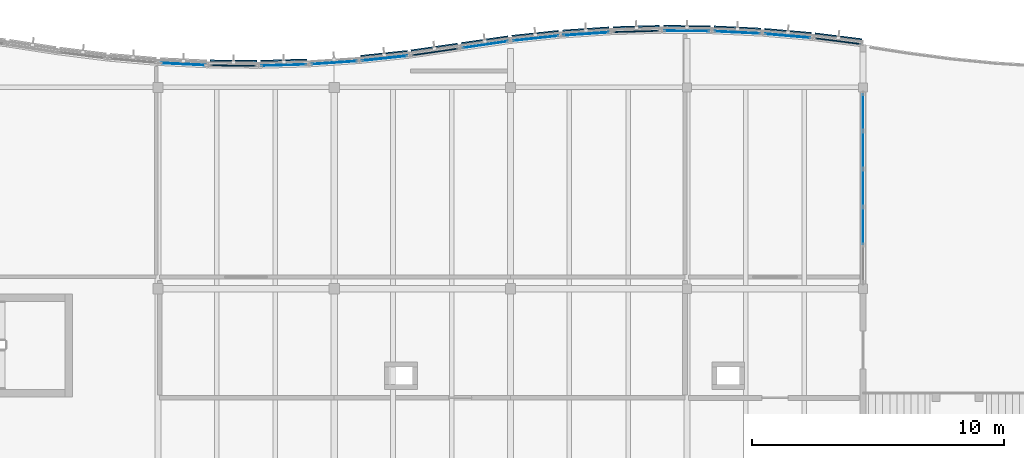
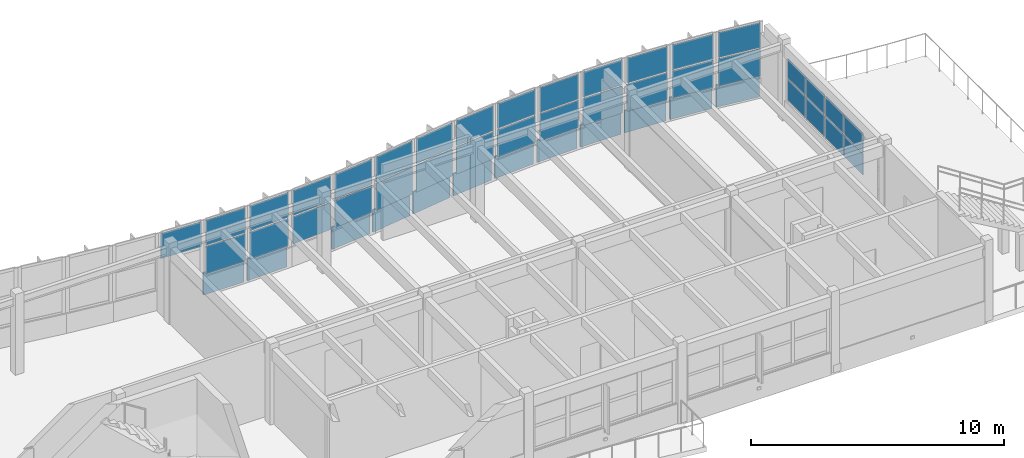
# One storey, part 27 of 52: 47 plates, 15 elements without a shape of their own.
"""IFC4 building model written with IfcOpenShell, lengths in metres."""

from ifc_helpers import new_model, si_unit, direction, frame, origin, origin_2d, place, context, subcontext, project, spatial, rectangle, extrude, material, layer, layer_set, type_object, element, aggregate, save


model = new_model("IFC4")

# Units and contexts
model_context = context("Model", 3, precision=1e-05, world=origin(), true_north=direction((0.0, 1.0)))
body_context = subcontext(model_context, "Body", "Model", "MODEL_VIEW")
ifc_project = project(units=[si_unit("LENGTHUNIT", "METRE"), si_unit("AREAUNIT", "SQUARE_METRE"), si_unit("VOLUMEUNIT", "CUBIC_METRE"), si_unit("PLANEANGLEUNIT", "RADIAN"), si_unit("MASSUNIT", "GRAM", prefix="KILO")], contexts=[model_context])

# Site, building, storey
site_placement = place(None, origin())
site = spatial("IfcSite", under=ifc_project, at=site_placement, CompositionType="ELEMENT")
building_placement = place(site_placement, origin())
building = spatial("IfcBuilding", under=site, at=building_placement, Name="Tonlespit Floodbar School", CompositionType="ELEMENT")
storey_placement = place(building_placement, frame((0.0, 0.0, 12.300048828125)))
storey = spatial("IfcBuildingStorey", under=building, at=storey_placement, Name="L03", CompositionType="ELEMENT", Elevation=12.300048828125)

# Curtain wall, plates
ifc_material_1 = material(Name="Anodised Aluminium", Category="aluminium")
ifc_layer_1 = layer(ifc_material_1, 0.159912109375)
ifc_layer_set_1 = layer_set([ifc_layer_1], Name="Anodised Aluminium")
curtain_wall_type_1 = type_object("IfcCurtainWallType", Name="CurtainWall_1900x2700", PredefinedType="NOTDEFINED", material=ifc_layer_set_1)
curtain_wall_1_placement = place(storey_placement, origin())
curtain_wall_1 = element("IfcCurtainWall", 1, at=curtain_wall_1_placement, inside=storey, type_object=curtain_wall_type_1, Name="L03 unitised curtain wall 0457", PredefinedType="NOTDEFINED")
ifc_material_2 = material(Name="Laminated Low-E Glass", Category="glass")
ifc_layer_2 = layer(ifc_material_2, 0.028076171875)
ifc_layer_set_2 = layer_set([ifc_layer_2], Name="Laminated Low-E Glass")
plate_type_1 = type_object("IfcPlateType", Name="CW_Panel_Glaz_28", PredefinedType="CURTAIN_PANEL", material=ifc_layer_set_2)
plate_1_placement = place(storey_placement, frame((139.0, 120.8818359375, 1.01513671875), z_axis=(0.0, 0.0, 1.0), x_axis=(0.999585477883, 0.028790144226, 0.0)))
plate_1 = element("IfcPlate", 2, at=plate_1_placement, type_object=plate_type_1, Name="CW-05 panel 1.1", PredefinedType="CURTAIN_PANEL", context=body_context, shape_type="SweptSolid", body=[
    extrude(rectangle(XDim=1.790771484375, YDim=0.028076171875, at=origin_2d()), origin(), (0.0, 0.0, 1.0), 1.306396484375),
])
plate_2_placement = place(storey_placement, frame((139.0, 120.8818359375, 2.38623046875), z_axis=(0.0, 0.0, 1.0), x_axis=(0.999585477883, 0.028790144226, 0.0)))
plate_2 = element("IfcPlate", 3, at=plate_2_placement, type_object=plate_type_1, Name="CW-05 panel 1.2", PredefinedType="CURTAIN_PANEL", context=body_context, shape_type="SweptSolid", body=[
    extrude(rectangle(XDim=1.790771484375, YDim=0.028076171875, at=origin_2d()), origin(), (0.0, 0.0, 1.0), 1.198486328125),
])
aggregate(curtain_wall_1, [plate_1, plate_2])

ifc_layer_3 = layer(ifc_material_1, 0.159912109375)
ifc_layer_set_3 = layer_set([ifc_layer_3], Name="Anodised Aluminium")
curtain_wall_type_2 = type_object("IfcCurtainWallType", Name="CurtainWall_1950x2700", PredefinedType="NOTDEFINED", material=ifc_layer_set_3)
curtain_wall_2_placement = place(storey_placement, origin())
curtain_wall_2 = element("IfcCurtainWall", 4, at=curtain_wall_2_placement, inside=storey, type_object=curtain_wall_type_2, Name="L03 unitised curtain wall 0461", PredefinedType="NOTDEFINED")
plate_3_placement = place(storey_placement, frame((147.0, 121.69580078125, 1.01513671875), z_axis=(0.0, 0.0, 1.0), x_axis=(0.989541561858, 0.144248041079, 0.0)))
plate_3 = element("IfcPlate", 5, at=plate_3_placement, type_object=plate_type_1, Name="CW-04 panel 1.1", PredefinedType="CURTAIN_PANEL", context=body_context, shape_type="SweptSolid", body=[
    extrude(rectangle(XDim=1.81103515625, YDim=0.028076171875, at=origin_2d()), origin(), (0.0, 0.0, 1.0), 1.306396484375),
])
plate_4_placement = place(storey_placement, frame((147.0, 121.69580078125, 2.38623046875), z_axis=(0.0, 0.0, 1.0), x_axis=(0.989541561858, 0.144248041079, 0.0)))
plate_4 = element("IfcPlate", 6, at=plate_4_placement, type_object=plate_type_1, Name="CW-04 panel 1.2", PredefinedType="CURTAIN_PANEL", context=body_context, shape_type="SweptSolid", body=[
    extrude(rectangle(XDim=1.81103515625, YDim=0.028076171875, at=origin_2d()), origin(), (0.0, 0.0, 1.0), 1.198486328125),
])
aggregate(curtain_wall_2, [plate_3, plate_4])

curtain_wall_3_placement = place(storey_placement, origin())
curtain_wall_3 = element("IfcCurtainWall", 7, at=curtain_wall_3_placement, inside=storey, type_object=curtain_wall_type_1, Name="L03 unitised curtain wall 0465", PredefinedType="NOTDEFINED")
plate_5_placement = place(storey_placement, frame((155.0, 122.2373046875, 1.01513671875), z_axis=(0.0, 0.0, 1.0), x_axis=(0.999954083024, -0.009582893292, 0.0)))
plate_5 = element("IfcPlate", 8, at=plate_5_placement, type_object=plate_type_1, Name="CW-05 panel 1.1", PredefinedType="CURTAIN_PANEL", context=body_context, shape_type="SweptSolid", body=[
    extrude(rectangle(XDim=1.7900390625, YDim=0.028076171875, at=origin_2d()), origin(), (0.0, 0.0, 1.0), 1.306396484375),
])
plate_6_placement = place(storey_placement, frame((155.0, 122.2373046875, 2.38623046875), z_axis=(0.0, 0.0, 1.0), x_axis=(0.999954083024, -0.009582893292, 0.0)))
plate_6 = element("IfcPlate", 9, at=plate_6_placement, type_object=plate_type_1, Name="CW-05 panel 1.2", PredefinedType="CURTAIN_PANEL", context=body_context, shape_type="SweptSolid", body=[
    extrude(rectangle(XDim=1.7900390625, YDim=0.028076171875, at=origin_2d()), origin(), (0.0, 0.0, 1.0), 1.198486328125),
])
aggregate(curtain_wall_3, [plate_5, plate_6])

ifc_layer_4 = layer(ifc_material_1, 0.159912109375)
ifc_layer_set_4 = layer_set([ifc_layer_4], Name="Anodised Aluminium")
curtain_wall_type_3 = type_object("IfcCurtainWallType", Name="CurtainWall_7550x2150", PredefinedType="NOTDEFINED", material=ifc_layer_set_4)
curtain_wall_4_placement = place(storey_placement, origin())
curtain_wall_4 = element("IfcCurtainWall", 10, at=curtain_wall_4_placement, inside=storey, type_object=curtain_wall_type_3, Name="L03 unitised curtain wall 0469", PredefinedType="NOTDEFINED")
plate_7_placement = place(storey_placement, frame((162.0, 119.0078125, 1.01513671875), z_axis=(0.0, 0.0, 1.0), x_axis=(0.0, -1.0, 0.0)))
plate_7 = element("IfcPlate", 11, at=plate_7_placement, type_object=plate_type_1, Name="CW-37 panel 1.1", PredefinedType="CURTAIN_PANEL", context=body_context, shape_type="SweptSolid", body=[
    extrude(rectangle(XDim=1.41455078125, YDim=0.028076171875, at=origin_2d()), origin(), (0.0, 0.0, 1.0), 1.014404296875),
])
plate_8_placement = place(storey_placement, frame((162.0, 119.0078125, 2.09423828125), z_axis=(0.0, 0.0, 1.0), x_axis=(0.0, -1.0, 0.0)))
plate_8 = element("IfcPlate", 12, at=plate_8_placement, type_object=plate_type_1, Name="CW-37 panel 1.2", PredefinedType="CURTAIN_PANEL", context=body_context, shape_type="SweptSolid", body=[
    extrude(rectangle(XDim=1.41455078125, YDim=0.028076171875, at=origin_2d()), origin(), (0.0, 0.0, 1.0), 0.9287109375),
])
plate_9_placement = place(storey_placement, frame((162.0, 117.511962890625, 1.01513671875), z_axis=(0.0, 0.0, 1.0), x_axis=(0.0, -1.0, 0.0)))
plate_9 = element("IfcPlate", 13, at=plate_9_placement, type_object=plate_type_1, Name="CW-37 panel 2.1", PredefinedType="CURTAIN_PANEL", context=body_context, shape_type="SweptSolid", body=[
    extrude(rectangle(XDim=1.447021484375, YDim=0.028076171875, at=origin_2d()), origin(), (0.0, 0.0, 1.0), 1.014404296875),
])
plate_10_placement = place(storey_placement, frame((162.0, 117.511962890625, 2.09423828125), z_axis=(0.0, 0.0, 1.0), x_axis=(0.0, -1.0, 0.0)))
plate_10 = element("IfcPlate", 14, at=plate_10_placement, type_object=plate_type_1, Name="CW-37 panel 2.2", PredefinedType="CURTAIN_PANEL", context=body_context, shape_type="SweptSolid", body=[
    extrude(rectangle(XDim=1.447021484375, YDim=0.028076171875, at=origin_2d()), origin(), (0.0, 0.0, 1.0), 0.9287109375),
])
plate_11_placement = place(storey_placement, frame((162.0, 116.0, 1.01513671875), z_axis=(0.0, 0.0, 1.0), x_axis=(0.0, -1.0, 0.0)))
plate_11 = element("IfcPlate", 15, at=plate_11_placement, type_object=plate_type_1, Name="CW-37 panel 3.1", PredefinedType="CURTAIN_PANEL", context=body_context, shape_type="SweptSolid", body=[
    extrude(rectangle(XDim=1.447021484375, YDim=0.028076171875, at=origin_2d()), origin(), (0.0, 0.0, 1.0), 1.014404296875),
])
plate_12_placement = place(storey_placement, frame((162.0, 116.0, 2.09423828125), z_axis=(0.0, 0.0, 1.0), x_axis=(0.0, -1.0, 0.0)))
plate_12 = element("IfcPlate", 16, at=plate_12_placement, type_object=plate_type_1, Name="CW-37 panel 3.2", PredefinedType="CURTAIN_PANEL", context=body_context, shape_type="SweptSolid", body=[
    extrude(rectangle(XDim=1.447021484375, YDim=0.028076171875, at=origin_2d()), origin(), (0.0, 0.0, 1.0), 0.9287109375),
])
plate_13_placement = place(storey_placement, frame((162.0, 114.488037109375, 1.01513671875), z_axis=(0.0, 0.0, 1.0), x_axis=(0.0, -1.0, 0.0)))
plate_13 = element("IfcPlate", 17, at=plate_13_placement, type_object=plate_type_1, Name="CW-37 panel 4.1", PredefinedType="CURTAIN_PANEL", context=body_context, shape_type="SweptSolid", body=[
    extrude(rectangle(XDim=1.447021484375, YDim=0.028076171875, at=origin_2d()), origin(), (0.0, 0.0, 1.0), 1.014404296875),
])
plate_14_placement = place(storey_placement, frame((162.0, 114.488037109375, 2.09423828125), z_axis=(0.0, 0.0, 1.0), x_axis=(0.0, -1.0, 0.0)))
plate_14 = element("IfcPlate", 18, at=plate_14_placement, type_object=plate_type_1, Name="CW-37 panel 4.2", PredefinedType="CURTAIN_PANEL", context=body_context, shape_type="SweptSolid", body=[
    extrude(rectangle(XDim=1.447021484375, YDim=0.028076171875, at=origin_2d()), origin(), (0.0, 0.0, 1.0), 0.9287109375),
])
aggregate(curtain_wall_4, [plate_7, plate_8, plate_9, plate_10, plate_11, plate_12, plate_13, plate_14])

curtain_wall_5_placement = place(storey_placement, origin())
curtain_wall_5 = element("IfcCurtainWall", 19, at=curtain_wall_5_placement, inside=storey, type_object=curtain_wall_type_1, Name="L03 unitised curtain wall 0458", PredefinedType="NOTDEFINED")
ifc_layer_5 = layer(ifc_material_2, 0.031982421875)
ifc_layer_set_5 = layer_set([ifc_layer_5], Name="Laminated Low-E Glass")
plate_type_2 = type_object("IfcPlateType", Name="CW_Panel_Glaz_32", PredefinedType="CURTAIN_PANEL", material=ifc_layer_set_5)
plate_15_placement = place(storey_placement, frame((141.0, 120.978271484375, 1.01513671875), z_axis=(0.0, 0.0, 1.0), x_axis=(0.99773010165, 0.067339767311, 0.0)))
plate_15 = element("IfcPlate", 20, at=plate_15_placement, type_object=plate_type_2, Name="CW-05 panel 1.1", PredefinedType="CURTAIN_PANEL", context=body_context, shape_type="SweptSolid", body=[
    extrude(rectangle(XDim=1.794677734375, YDim=0.031982421875, at=origin_2d()), origin(), (0.0, 0.0, 1.0), 1.306396484375),
])
plate_16_placement = place(storey_placement, frame((141.0, 120.978271484375, 2.38623046875), z_axis=(0.0, 0.0, 1.0), x_axis=(0.99773010165, 0.067339767311, 0.0)))
plate_16 = element("IfcPlate", 21, at=plate_16_placement, type_object=plate_type_2, Name="CW-05 panel 1.2", PredefinedType="CURTAIN_PANEL", context=body_context, shape_type="SweptSolid", body=[
    extrude(rectangle(XDim=1.794677734375, YDim=0.031982421875, at=origin_2d()), origin(), (0.0, 0.0, 1.0), 1.198486328125),
])
aggregate(curtain_wall_5, [plate_15, plate_16])

curtain_wall_6_placement = place(storey_placement, origin())
curtain_wall_6 = element("IfcCurtainWall", 22, at=curtain_wall_6_placement, inside=storey, type_object=curtain_wall_type_2, Name="L03 unitised curtain wall 0462", PredefinedType="NOTDEFINED")
plate_17_placement = place(storey_placement, frame((149.0, 121.947998046875, 1.01513671875), z_axis=(0.0, 0.0, 1.0), x_axis=(0.994388797288, 0.105787143968, 0.0)))
plate_17 = element("IfcPlate", 23, at=plate_17_placement, type_object=plate_type_2, Name="CW-04 panel 1.1", PredefinedType="CURTAIN_PANEL", context=body_context, shape_type="SweptSolid", body=[
    extrude(rectangle(XDim=1.80126953125, YDim=0.031982421875, at=origin_2d()), origin(), (0.0, 0.0, 1.0), 1.306396484375),
])
plate_18_placement = place(storey_placement, frame((149.0, 121.947998046875, 2.38623046875), z_axis=(0.0, 0.0, 1.0), x_axis=(0.994388797288, 0.105787143968, 0.0)))
plate_18 = element("IfcPlate", 24, at=plate_18_placement, type_object=plate_type_2, Name="CW-04 panel 1.2", PredefinedType="CURTAIN_PANEL", context=body_context, shape_type="SweptSolid", body=[
    extrude(rectangle(XDim=1.80126953125, YDim=0.031982421875, at=origin_2d()), origin(), (0.0, 0.0, 1.0), 1.198486328125),
])
aggregate(curtain_wall_6, [plate_17, plate_18])

curtain_wall_7_placement = place(storey_placement, origin())
curtain_wall_7 = element("IfcCurtainWall", 25, at=curtain_wall_7_placement, inside=storey, type_object=curtain_wall_type_1, Name="L03 unitised curtain wall 0466", PredefinedType="NOTDEFINED")
plate_19_placement = place(storey_placement, frame((157.0, 122.1796875, 1.01513671875), z_axis=(0.0, 0.0, 1.0), x_axis=(0.998841500616, -0.048121270216, 0.0)))
plate_19 = element("IfcPlate", 26, at=plate_19_placement, type_object=plate_type_2, Name="CW-05 panel 1.1", PredefinedType="CURTAIN_PANEL", context=body_context, shape_type="SweptSolid", body=[
    extrude(rectangle(XDim=1.792236328125, YDim=0.031982421875, at=origin_2d()), origin(), (0.0, 0.0, 1.0), 1.306396484375),
])
plate_20_placement = place(storey_placement, frame((157.0, 122.1796875, 2.38623046875), z_axis=(0.0, 0.0, 1.0), x_axis=(0.998841500616, -0.048121270216, 0.0)))
plate_20 = element("IfcPlate", 27, at=plate_20_placement, type_object=plate_type_2, Name="CW-05 panel 1.2", PredefinedType="CURTAIN_PANEL", context=body_context, shape_type="SweptSolid", body=[
    extrude(rectangle(XDim=1.792236328125, YDim=0.031982421875, at=origin_2d()), origin(), (0.0, 0.0, 1.0), 1.198486328125),
])
aggregate(curtain_wall_7, [plate_19, plate_20])

# Curtain wall, plate
curtain_wall_8_placement = place(storey_placement, origin())
curtain_wall_8 = element("IfcCurtainWall", 28, at=curtain_wall_8_placement, inside=storey, type_object=curtain_wall_type_1, Name="L03 unitised curtain wall 0455", PredefinedType="NOTDEFINED")
ifc_layer_6 = layer(ifc_material_2, 0.035888671875)
ifc_layer_set_6 = layer_set([ifc_layer_6], Name="Laminated Low-E Glass")
plate_type_3 = type_object("IfcPlateType", Name="CW_Panel_Glaz_36", PredefinedType="CURTAIN_PANEL", material=ifc_layer_set_6)
plate_21_placement = place(storey_placement, frame((135.0, 120.92041015625, 2.38623046875), z_axis=(0.0, 0.0, 1.0), x_axis=(0.998841500616, -0.048121270216, 0.0)))
plate_21 = element("IfcPlate", 29, at=plate_21_placement, type_object=plate_type_3, Name="CW-05 panel 1.2", PredefinedType="CURTAIN_PANEL", context=body_context, shape_type="SweptSolid", body=[
    extrude(rectangle(XDim=1.792236328125, YDim=0.035888671875, at=origin_2d()), origin(), (0.0, 0.0, 1.0), 1.198486328125),
])
aggregate(curtain_wall_8, [plate_21])

# Curtain wall, plates
curtain_wall_9_placement = place(storey_placement, origin())
curtain_wall_9 = element("IfcCurtainWall", 30, at=curtain_wall_9_placement, inside=storey, type_object=curtain_wall_type_2, Name="L03 unitised curtain wall 0459", PredefinedType="NOTDEFINED")
plate_22_placement = place(storey_placement, frame((143.0, 121.152099609375, 1.01513671875), z_axis=(0.0, 0.0, 1.0), x_axis=(0.994388797288, 0.105787143968, 0.0)))
plate_22 = element("IfcPlate", 31, at=plate_22_placement, type_object=plate_type_3, Name="CW-04 panel 1.1", PredefinedType="CURTAIN_PANEL", context=body_context, shape_type="SweptSolid", body=[
    extrude(rectangle(XDim=1.80126953125, YDim=0.035888671875, at=origin_2d()), origin(), (0.0, 0.0, 1.0), 1.306396484375),
])
plate_23_placement = place(storey_placement, frame((143.0, 121.152099609375, 2.38623046875), z_axis=(0.0, 0.0, 1.0), x_axis=(0.994388797288, 0.105787143968, 0.0)))
plate_23 = element("IfcPlate", 32, at=plate_23_placement, type_object=plate_type_3, Name="CW-04 panel 1.2", PredefinedType="CURTAIN_PANEL", context=body_context, shape_type="SweptSolid", body=[
    extrude(rectangle(XDim=1.80126953125, YDim=0.035888671875, at=origin_2d()), origin(), (0.0, 0.0, 1.0), 1.198486328125),
])
aggregate(curtain_wall_9, [plate_22, plate_23])

curtain_wall_10_placement = place(storey_placement, origin())
curtain_wall_10 = element("IfcCurtainWall", 33, at=curtain_wall_10_placement, inside=storey, type_object=curtain_wall_type_1, Name="L03 unitised curtain wall 0463", PredefinedType="NOTDEFINED")
plate_24_placement = place(storey_placement, frame((151.0, 122.121826171875, 1.01513671875), z_axis=(0.0, 0.0, 1.0), x_axis=(0.99773010165, 0.067339767311, 0.0)))
plate_24 = element("IfcPlate", 34, at=plate_24_placement, type_object=plate_type_3, Name="CW-05 panel 1.1", PredefinedType="CURTAIN_PANEL", context=body_context, shape_type="SweptSolid", body=[
    extrude(rectangle(XDim=1.794677734375, YDim=0.035888671875, at=origin_2d()), origin(), (0.0, 0.0, 1.0), 1.306396484375),
])
plate_25_placement = place(storey_placement, frame((151.0, 122.121826171875, 2.38623046875), z_axis=(0.0, 0.0, 1.0), x_axis=(0.99773010165, 0.067339767311, 0.0)))
plate_25 = element("IfcPlate", 35, at=plate_25_placement, type_object=plate_type_3, Name="CW-05 panel 1.2", PredefinedType="CURTAIN_PANEL", context=body_context, shape_type="SweptSolid", body=[
    extrude(rectangle(XDim=1.794677734375, YDim=0.035888671875, at=origin_2d()), origin(), (0.0, 0.0, 1.0), 1.198486328125),
])
aggregate(curtain_wall_10, [plate_24, plate_25])

curtain_wall_11_placement = place(storey_placement, origin())
curtain_wall_11 = element("IfcCurtainWall", 36, at=curtain_wall_11_placement, inside=storey, type_object=curtain_wall_type_2, Name="L03 unitised curtain wall 0467", PredefinedType="NOTDEFINED")
plate_26_placement = place(storey_placement, frame((159.0, 122.044677734375, 1.01513671875), z_axis=(0.0, 0.0, 1.0), x_axis=(0.996249148412, -0.086531117454, 0.0)))
plate_26 = element("IfcPlate", 37, at=plate_26_placement, type_object=plate_type_3, Name="CW-04 panel 1.1", PredefinedType="CURTAIN_PANEL", context=body_context, shape_type="SweptSolid", body=[
    extrude(rectangle(XDim=1.797607421875, YDim=0.035888671875, at=origin_2d()), origin(), (0.0, 0.0, 1.0), 1.306396484375),
])
plate_27_placement = place(storey_placement, frame((159.0, 122.044677734375, 2.38623046875), z_axis=(0.0, 0.0, 1.0), x_axis=(0.996249148412, -0.086531117454, 0.0)))
plate_27 = element("IfcPlate", 38, at=plate_27_placement, type_object=plate_type_3, Name="CW-04 panel 1.2", PredefinedType="CURTAIN_PANEL", context=body_context, shape_type="SweptSolid", body=[
    extrude(rectangle(XDim=1.797607421875, YDim=0.035888671875, at=origin_2d()), origin(), (0.0, 0.0, 1.0), 1.198486328125),
])
aggregate(curtain_wall_11, [plate_26, plate_27])

curtain_wall_12_placement = place(storey_placement, origin())
curtain_wall_12 = element("IfcCurtainWall", 39, at=curtain_wall_12_placement, inside=storey, type_object=curtain_wall_type_1, Name="L03 unitised curtain wall 0456", PredefinedType="NOTDEFINED")
ifc_layer_7 = layer(ifc_material_2, 0.0419921875)
ifc_layer_set_7 = layer_set([ifc_layer_7], Name="Laminated Low-E Glass")
plate_type_4 = type_object("IfcPlateType", Name="CW_Panel_Glaz_42", PredefinedType="CURTAIN_PANEL", material=ifc_layer_set_7)
plate_28_placement = place(storey_placement, frame((137.0, 120.862548828125, 1.01513671875), z_axis=(0.0, 0.0, 1.0), x_axis=(0.999954083024, -0.009582893292, 0.0)))
plate_28 = element("IfcPlate", 40, at=plate_28_placement, type_object=plate_type_4, Name="CW-05 panel 1.1", PredefinedType="CURTAIN_PANEL", context=body_context, shape_type="SweptSolid", body=[
    extrude(rectangle(XDim=1.7900390625, YDim=0.0419921875, at=origin_2d()), origin(), (0.0, 0.0, 1.0), 1.306396484375),
])
plate_29_placement = place(storey_placement, frame((137.0, 120.862548828125, 2.38623046875), z_axis=(0.0, 0.0, 1.0), x_axis=(0.999954083024, -0.009582893292, 0.0)))
plate_29 = element("IfcPlate", 41, at=plate_29_placement, type_object=plate_type_4, Name="CW-05 panel 1.2", PredefinedType="CURTAIN_PANEL", context=body_context, shape_type="SweptSolid", body=[
    extrude(rectangle(XDim=1.7900390625, YDim=0.0419921875, at=origin_2d()), origin(), (0.0, 0.0, 1.0), 1.198486328125),
])
aggregate(curtain_wall_12, [plate_28, plate_29])

curtain_wall_13_placement = place(storey_placement, origin())
curtain_wall_13 = element("IfcCurtainWall", 42, at=curtain_wall_13_placement, inside=storey, type_object=curtain_wall_type_2, Name="L03 unitised curtain wall 0460", PredefinedType="NOTDEFINED")
plate_30_placement = place(storey_placement, frame((145.0, 121.404296875, 1.01513671875), z_axis=(0.0, 0.0, 1.0), x_axis=(0.989541561858, 0.144248041079, 0.0)))
plate_30 = element("IfcPlate", 43, at=plate_30_placement, type_object=plate_type_4, Name="CW-04 panel 1.1", PredefinedType="CURTAIN_PANEL", context=body_context, shape_type="SweptSolid", body=[
    extrude(rectangle(XDim=1.81103515625, YDim=0.0419921875, at=origin_2d()), origin(), (0.0, 0.0, 1.0), 1.306396484375),
])
plate_31_placement = place(storey_placement, frame((145.0, 121.404296875, 2.38623046875), z_axis=(0.0, 0.0, 1.0), x_axis=(0.989541561858, 0.144248041079, 0.0)))
plate_31 = element("IfcPlate", 44, at=plate_31_placement, type_object=plate_type_4, Name="CW-04 panel 1.2", PredefinedType="CURTAIN_PANEL", context=body_context, shape_type="SweptSolid", body=[
    extrude(rectangle(XDim=1.81103515625, YDim=0.0419921875, at=origin_2d()), origin(), (0.0, 0.0, 1.0), 1.198486328125),
])
aggregate(curtain_wall_13, [plate_30, plate_31])

curtain_wall_14_placement = place(storey_placement, origin())
curtain_wall_14 = element("IfcCurtainWall", 45, at=curtain_wall_14_placement, inside=storey, type_object=curtain_wall_type_1, Name="L03 unitised curtain wall 0464", PredefinedType="NOTDEFINED")
plate_32_placement = place(storey_placement, frame((153.0, 122.21826171875, 1.01513671875), z_axis=(0.0, 0.0, 1.0), x_axis=(0.999585477883, 0.028790144226, 0.0)))
plate_32 = element("IfcPlate", 46, at=plate_32_placement, type_object=plate_type_4, Name="CW-05 panel 1.1", PredefinedType="CURTAIN_PANEL", context=body_context, shape_type="SweptSolid", body=[
    extrude(rectangle(XDim=1.790771484375, YDim=0.0419921875, at=origin_2d()), origin(), (0.0, 0.0, 1.0), 1.306396484375),
])
plate_33_placement = place(storey_placement, frame((153.0, 122.21826171875, 2.38623046875), z_axis=(0.0, 0.0, 1.0), x_axis=(0.999585477883, 0.028790144226, 0.0)))
plate_33 = element("IfcPlate", 47, at=plate_33_placement, type_object=plate_type_4, Name="CW-05 panel 1.2", PredefinedType="CURTAIN_PANEL", context=body_context, shape_type="SweptSolid", body=[
    extrude(rectangle(XDim=1.790771484375, YDim=0.0419921875, at=origin_2d()), origin(), (0.0, 0.0, 1.0), 1.198486328125),
])
aggregate(curtain_wall_14, [plate_32, plate_33])

curtain_wall_15_placement = place(storey_placement, origin())
curtain_wall_15 = element("IfcCurtainWall", 48, at=curtain_wall_15_placement, inside=storey, type_object=curtain_wall_type_2, Name="L03 unitised curtain wall 0468", PredefinedType="NOTDEFINED")
plate_34_placement = place(storey_placement, frame((161.0, 121.831787109375, 1.01513671875), z_axis=(0.0, 0.0, 1.0), x_axis=(0.992155002499, -0.125013803299, 0.0)))
plate_34 = element("IfcPlate", 49, at=plate_34_placement, type_object=plate_type_4, Name="CW-04 panel 1.1", PredefinedType="CURTAIN_PANEL", context=body_context, shape_type="SweptSolid", body=[
    extrude(rectangle(XDim=1.805908203125, YDim=0.0419921875, at=origin_2d()), origin(), (0.0, 0.0, 1.0), 1.306396484375),
])
plate_35_placement = place(storey_placement, frame((161.0, 121.831787109375, 2.38623046875), z_axis=(0.0, 0.0, 1.0), x_axis=(0.992155002499, -0.125013803299, 0.0)))
plate_35 = element("IfcPlate", 50, at=plate_35_placement, type_object=plate_type_4, Name="CW-04 panel 1.2", PredefinedType="CURTAIN_PANEL", context=body_context, shape_type="SweptSolid", body=[
    extrude(rectangle(XDim=1.805908203125, YDim=0.0419921875, at=origin_2d()), origin(), (0.0, 0.0, 1.0), 1.198486328125),
])
aggregate(curtain_wall_15, [plate_34, plate_35])

# Plates
ifc_material_3 = material(Name="White Architectural Aluminium", Category="aluminium")
ifc_layer_8 = layer(ifc_material_3, 0.06494140625)
ifc_layer_set_8 = layer_set([ifc_layer_8], Name="White Architectural Aluminium")
plate_type_5 = type_object("IfcPlateType", Name="FacadeRibbon_White_65", PredefinedType="SHEET", material=ifc_layer_set_8)
plate_36_placement = place(storey_placement, frame((137.001708984375, 121.044677734375, -0.1201171875), z_axis=(0.0, 0.0, 1.0), x_axis=(0.999953926969, -0.009599163462, 0.0)))
element("IfcPlate", 51, at=plate_36_placement, inside=storey, type_object=plate_type_5, Name="L03 flowing white street spandrel ribbon 0707", PredefinedType="SHEET", context=body_context, shape_type="SweptSolid", body=[
    extrude(rectangle(XDim=1.840087890625, YDim=0.06494140625, at=origin_2d()), origin(), (0.0, 0.0, 1.0), 1.070068359375),
])
plate_37_placement = place(storey_placement, frame((138.994873046875, 121.063720703125, -0.1201171875), z_axis=(0.0, 0.0, 1.0), x_axis=(0.999584110869, 0.02883756748, 0.0)))
element("IfcPlate", 52, at=plate_37_placement, inside=storey, type_object=plate_type_5, Name="L03 flowing white street spandrel ribbon 0708", PredefinedType="SHEET", context=body_context, shape_type="SweptSolid", body=[
    extrude(rectangle(XDim=1.8408203125, YDim=0.06494140625, at=origin_2d()), origin(), (0.0, 0.0, 1.0), 1.070068359375),
])
plate_38_placement = place(storey_placement, frame((142.980712890625, 121.3330078125, -0.1201171875), z_axis=(0.0, 0.0, 1.0), x_axis=(0.99439234017, 0.105753835922, 0.0)))
element("IfcPlate", 53, at=plate_38_placement, inside=storey, type_object=plate_type_5, Name="L03 flowing white street spandrel ribbon 0710", PredefinedType="SHEET", context=body_context, shape_type="SweptSolid", body=[
    extrude(rectangle(XDim=1.851318359375, YDim=0.06494140625, at=origin_2d()), origin(), (0.0, 0.0, 1.0), 1.070068359375),
])
for number, where, z_axis, x_axis, name in (
    (54, (144.9736328125, 121.584228515625, -0.1201171875), (0.0, 0.0, 1.0), (0.989537627347, 0.144275029245, 0.0), "L03 flowing white street spandrel ribbon 0711"),
    (55, (146.9736328125, 121.8759765625, -0.1201171875), (0.0, 0.0, 1.0), (0.989537627347, 0.144275029245, 0.0), "L03 flowing white street spandrel ribbon 0712"),
):
    element("IfcPlate", number, at=place(storey_placement, frame(where, z_axis=z_axis, x_axis=x_axis)), inside=storey, type_object=plate_type_5, Name=name, PredefinedType="SHEET", context=body_context, shape_type="SweptSolid", body=[
        extrude(rectangle(XDim=1.861083984375, YDim=0.06494140625, at=origin_2d()), origin(), (0.0, 0.0, 1.0), 1.070068359375),
    ])
plate_39_placement = place(storey_placement, frame((148.980712890625, 122.12890625, -0.1201171875), z_axis=(0.0, 0.0, 1.0), x_axis=(0.99439234017, 0.105753835922, 0.0)))
element("IfcPlate", 56, at=plate_39_placement, inside=storey, type_object=plate_type_5, Name="L03 flowing white street spandrel ribbon 0713", PredefinedType="SHEET", context=body_context, shape_type="SweptSolid", body=[
    extrude(rectangle(XDim=1.851318359375, YDim=0.06494140625, at=origin_2d()), origin(), (0.0, 0.0, 1.0), 1.070068359375),
])
plate_40_placement = place(storey_placement, frame((150.98779296875, 122.303466796875, -0.1201171875), z_axis=(0.0, 0.0, 1.0), x_axis=(0.997729639049, 0.067346621018, 0.0)))
element("IfcPlate", 57, at=plate_40_placement, inside=storey, type_object=plate_type_5, Name="L03 flowing white street spandrel ribbon 0714", PredefinedType="SHEET", context=body_context, shape_type="SweptSolid", body=[
    extrude(rectangle(XDim=1.844482421875, YDim=0.06494140625, at=origin_2d()), origin(), (0.0, 0.0, 1.0), 1.070068359375),
])
plate_41_placement = place(storey_placement, frame((152.994873046875, 122.400146484375, -0.1201171875), z_axis=(0.0, 0.0, 1.0), x_axis=(0.999584110869, 0.02883756748, 0.0)))
element("IfcPlate", 58, at=plate_41_placement, inside=storey, type_object=plate_type_5, Name="L03 flowing white street spandrel ribbon 0715", PredefinedType="SHEET", context=body_context, shape_type="SweptSolid", body=[
    extrude(rectangle(XDim=1.8408203125, YDim=0.06494140625, at=origin_2d()), origin(), (0.0, 0.0, 1.0), 1.070068359375),
])
plate_42_placement = place(storey_placement, frame((155.001708984375, 122.41943359375, -0.1201171875), z_axis=(0.0, 0.0, 1.0), x_axis=(0.999953926969, -0.009599163462, 0.0)))
element("IfcPlate", 59, at=plate_42_placement, inside=storey, type_object=plate_type_5, Name="L03 flowing white street spandrel ribbon 0716", PredefinedType="SHEET", context=body_context, shape_type="SweptSolid", body=[
    extrude(rectangle(XDim=1.840087890625, YDim=0.06494140625, at=origin_2d()), origin(), (0.0, 0.0, 1.0), 1.070068359375),
])
plate_43_placement = place(storey_placement, frame((157.0087890625, 122.361328125, -0.1201171875), z_axis=(0.0, 0.0, 1.0), x_axis=(0.998842769234, -0.048094930587, 0.0)))
element("IfcPlate", 60, at=plate_43_placement, inside=storey, type_object=plate_type_5, Name="L03 flowing white street spandrel ribbon 0717", PredefinedType="SHEET", context=body_context, shape_type="SweptSolid", body=[
    extrude(rectangle(XDim=1.84228515625, YDim=0.06494140625, at=origin_2d()), origin(), (0.0, 0.0, 1.0), 1.070068359375),
])
plate_44_placement = place(storey_placement, frame((159.015869140625, 122.225830078125, -0.1201171875), z_axis=(0.0, 0.0, 1.0), x_axis=(0.996245486492, -0.086573267488, 0.0)))
element("IfcPlate", 61, at=plate_44_placement, inside=storey, type_object=plate_type_5, Name="L03 flowing white street spandrel ribbon 0718", PredefinedType="SHEET", context=body_context, shape_type="SweptSolid", body=[
    extrude(rectangle(XDim=1.847412109375, YDim=0.06494140625, at=origin_2d()), origin(), (0.0, 0.0, 1.0), 1.070068359375),
])
plate_45_placement = place(storey_placement, frame((161.022705078125, 122.01220703125, -0.1201171875), z_axis=(0.0, 0.0, 1.0), x_axis=(0.99215533612, -0.125011155539, 0.0)))
element("IfcPlate", 62, at=plate_45_placement, inside=storey, type_object=plate_type_5, Name="L03 flowing white street spandrel ribbon 0719", PredefinedType="SHEET", context=body_context, shape_type="SweptSolid", body=[
    extrude(rectangle(XDim=1.855712890625, YDim=0.06494140625, at=origin_2d()), origin(), (0.0, 0.0, 1.0), 1.070068359375),
])

save(model, "model.ifc")
